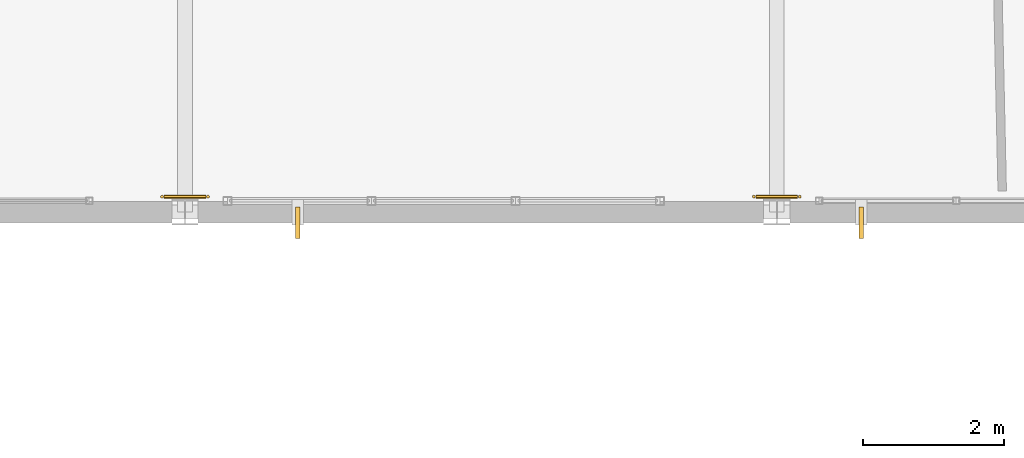
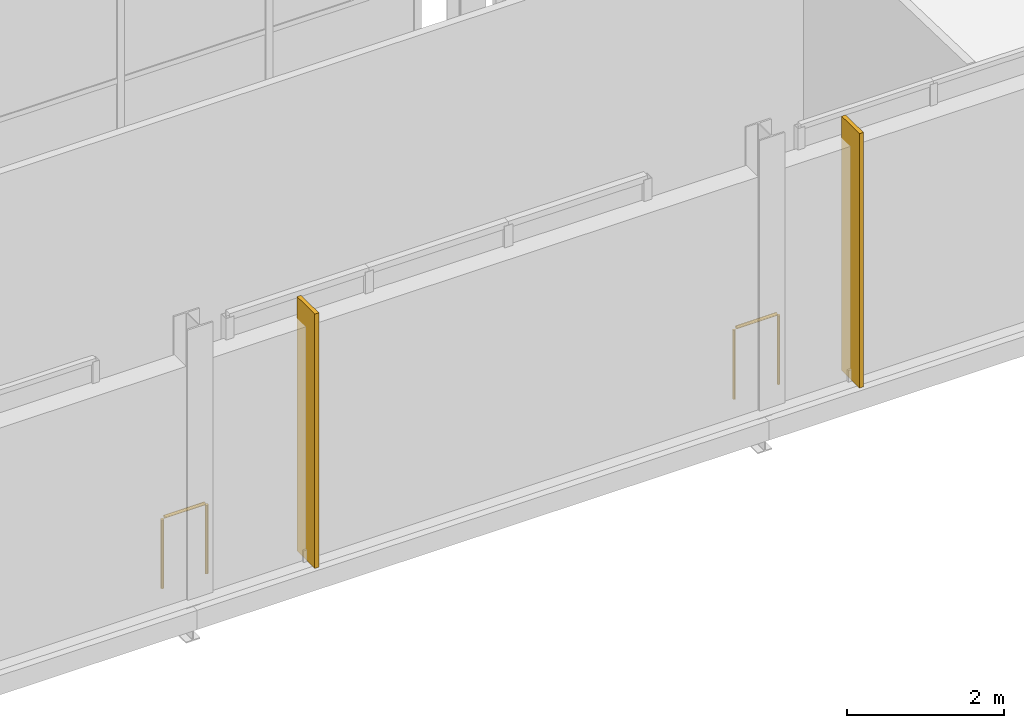
# One storey, part 216 of 217: 2 railings, 2 shading devices.
"""IFC4 building model written with IfcOpenShell, lengths in metres."""

from ifc_helpers import new_model, si_unit, direction, frame, origin, origin_2d, place, context, subcontext, project, spatial, rectangle, circle, extrude, material, type_object, element, save


model = new_model("IFC4")

# Units and contexts
model_context = context("Model", 3, precision=1e-05, world=origin(), true_north=direction((0.0, 1.0)))
body_context = subcontext(model_context, "Body", "Model", "MODEL_VIEW")
ifc_project = project(units=[si_unit("LENGTHUNIT", "METRE"), si_unit("AREAUNIT", "SQUARE_METRE"), si_unit("VOLUMEUNIT", "CUBIC_METRE"), si_unit("PLANEANGLEUNIT", "RADIAN"), si_unit("MASSUNIT", "GRAM", prefix="KILO")], contexts=[model_context])

# Site, building, storey
site_placement = place(None, origin())
site = spatial("IfcSite", under=ifc_project, at=site_placement, CompositionType="ELEMENT")
building_placement = place(site_placement, origin())
building = spatial("IfcBuilding", under=site, at=building_placement, Name="Zuvorla Pavilion Media Centre", CompositionType="ELEMENT")
storey_placement = place(building_placement, frame((0.0, 0.0, 9.60009765625)))
storey = spatial("IfcBuildingStorey", under=building, at=storey_placement, Name="L02", CompositionType="ELEMENT", Elevation=9.60009765625)

# Railings
ifc_material_1 = material(Name="Powder-coated steel balustrade guard", Category="steel")
railing_type = type_object("IfcRailingType", Name="RL-INT-GRD", PredefinedType="BALUSTRADE", material=ifc_material_1)
for number, where, name in (
    (1, (151.126220703125, 44.219970703125, 0.0), "L02 slab edge guard 60"),
    (2, (142.726318359375, 44.219970703125, 0.0), "L02 slab edge guard 61"),
):
    element("IfcRailing", number, at=place(storey_placement, frame(where)), inside=storey, type_object=railing_type, Name=name, PredefinedType="BALUSTRADE", context=body_context, shape_type="SweptSolid", body=[
        extrude(circle(Radius=0.02392578125, at=origin_2d()), frame((-0.02880859375, 0.0, 1.09619140625), z_axis=(-1.0, 0.0, 0.0), x_axis=(0.0, -1.0, 0.0)), (0.0, 0.0, 1.0), 0.594970703125),
        extrude(circle(Radius=0.02099609375, at=origin_2d()), origin(), (0.0, 0.0, 1.0), 1.070068359375),
        extrude(circle(Radius=0.02099609375, at=origin_2d()), frame((-0.652587890625, 0.0, 0.0)), (0.0, 0.0, 1.0), 1.070068359375),
    ])

# Shading devices
ifc_material_2 = material(Name="Anodised aluminium aerofoil brise-soleil fin", Category="aluminium")
shading_device_type = type_object("IfcShadingDeviceType", Name="SHD-FIN-ALU", PredefinedType="USERDEFINED", material=ifc_material_2)
for number, where, z_axis, x_axis, name in (
    (3, (144.0, 43.85009765625, 0.0), (0.0, 0.0, 1.0), (1.0, 0.0, 0.0), "L02 aluminium solar fin 11"),
    (4, (152.0, 43.85009765625, 0.0), (0.0, 0.0, 1.0), (1.0, 0.0, 0.0), "L02 aluminium solar fin 12"),
):
    element("IfcShadingDevice", number, at=place(storey_placement, frame(where, z_axis=z_axis, x_axis=x_axis)), inside=storey, type_object=shading_device_type, Name=name, ObjectType="FIN", PredefinedType="USERDEFINED", context=body_context, shape_type="SweptSolid", body=[
        extrude(rectangle(XDim=0.06005859375, YDim=0.449951171875, at=origin_2d()), origin(), (0.0, 0.0, 1.0), 3.949951171875),
    ])

save(model, "model.ifc")
